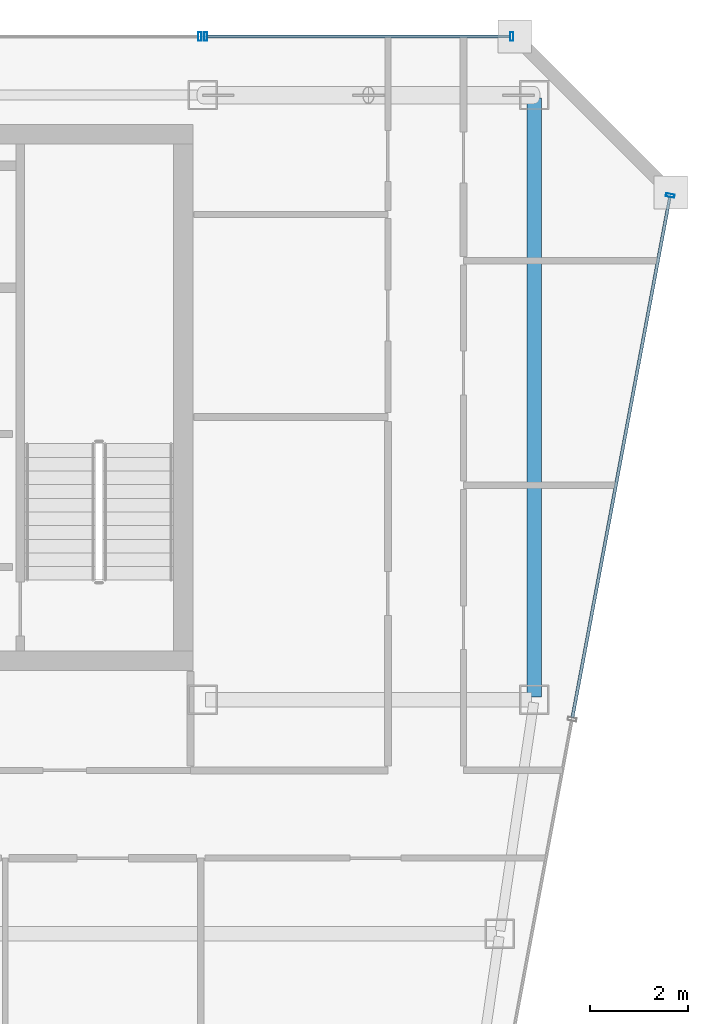
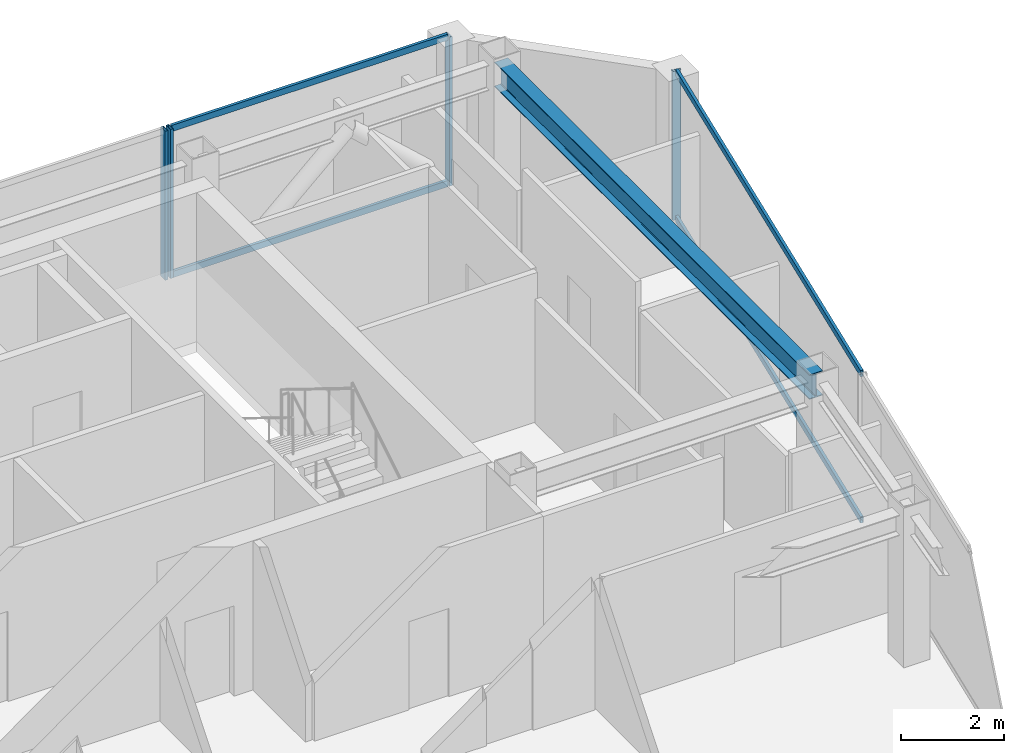
# One storey, part 16 of 23: 8 members, 1 beam, 3 elements without a shape of their own.
"""IFC4 building model written with IfcOpenShell, lengths in metres."""

import ifcopenshell
import ifcopenshell.guid

model = None  # the IFC model being written
_history = None  # IfcOwnerHistory: only IFC2X3 demands one
_inside = {}  # id of a spatial element -> (the spatial element, [elements in it])
_under = {}  # id of a project, library or spatial element -> (it, [spatial elements below it])
_declared = {}  # id of a project -> (the project, [libraries it declares])
_typed = {}  # id of a type object -> (the type object, [elements of that type])
_made_of = {}  # id of a material, layer set ... -> (it, [elements and type objects made of it])


def new_model(schema):
    """Start an empty IFC model of exactly this schema.

    Asked for "IFC4X3", IfcOpenShell would pick the latest addendum, in which some entities
    have other attributes; the version numbers below select the first issue.
    IFC2X3 requires an IfcOwnerHistory on every rooted entity: one is made here for all.
    """
    global model, _history
    if schema == "IFC4X3":
        model = ifcopenshell.file(schema_version=(4, 3, 0, 0))
    else:
        model = ifcopenshell.file(schema=schema)
    _inside.clear()
    _under.clear()
    _declared.clear()
    _typed.clear()
    _made_of.clear()
    _history = None
    if model.schema == "IFC2X3":
        org = make("IfcOrganization", Name="unknown")
        user = make(
            "IfcPersonAndOrganization",
            ThePerson=make("IfcPerson", FamilyName="unknown"),
            TheOrganization=org,
        )
        app = make(
            "IfcApplication",
            ApplicationDeveloper=org,
            Version="unknown",
            ApplicationFullName="unknown",
            ApplicationIdentifier="unknown",
        )
        _history = make(
            "IfcOwnerHistory",
            OwningUser=user,
            OwningApplication=app,
            ChangeAction="ADDED",
            CreationDate=0,
        )
    return model


def make(cls, **values):
    """One entity of the class cls with the attributes given. An attribute that is None is left unset."""
    return model.create_entity(
        cls, **{name: value for name, value in values.items() if value is not None}
    )


def rooted(cls, **values):
    """An entity with a GlobalId (a new one), such as an element, a storey or a relation."""
    return make(cls, GlobalId=ifcopenshell.guid.new(), OwnerHistory=_history, **values)


def si_unit(unit_type, name, prefix=None):
    """IfcSIUnit, for example si_unit("LENGTHUNIT", "METRE", prefix="MILLI")."""
    return make("IfcSIUnit", UnitType=unit_type, Prefix=prefix, Name=name)


def assignment(units):
    """IfcUnitAssignment: the units of a project."""
    return None if units is None else make("IfcUnitAssignment", Units=units)


def point(xyz):
    """IfcCartesianPoint."""
    return None if xyz is None else make("IfcCartesianPoint", Coordinates=xyz)


def direction(xyz):
    """IfcDirection."""
    return None if xyz is None else make("IfcDirection", DirectionRatios=xyz)


def frame(location, z_axis=None, x_axis=None):
    """IfcAxis2Placement3D, a coordinate frame: its origin and axes. An axis left out is left unset."""
    return make(
        "IfcAxis2Placement3D",
        Location=point(location),
        Axis=direction(z_axis),
        RefDirection=direction(x_axis),
    )


def frame_2d(location, x_axis=None):
    """IfcAxis2Placement2D, a coordinate frame in the plane: its origin and x axis."""
    return make(
        "IfcAxis2Placement2D", Location=point(location), RefDirection=direction(x_axis)
    )


def origin():
    """The frame at (0, 0, 0) with its axes left unset."""
    return frame((0.0, 0.0, 0.0))


def origin_2d():
    """The frame at (0, 0) in the plane with its x axis left unset."""
    return frame_2d((0.0, 0.0))


def place(relative_to, where):
    """IfcLocalPlacement: puts the frame where relative to a parent placement (None: the world)."""
    return make(
        "IfcLocalPlacement", PlacementRelTo=relative_to, RelativePlacement=where
    )


def context(
    kind, dimensions, precision=None, world=None, true_north=None, identifier=None
):
    """IfcGeometricRepresentationContext, for example the 3D "Model" context."""
    return make(
        "IfcGeometricRepresentationContext",
        ContextIdentifier=identifier,
        ContextType=kind,
        CoordinateSpaceDimension=dimensions,
        Precision=precision,
        WorldCoordinateSystem=world,
        TrueNorth=true_north,
    )


def subcontext(parent, identifier, kind, view, scale=None):
    """IfcGeometricRepresentationSubContext, for example "Body" below "Model"."""
    return make(
        "IfcGeometricRepresentationSubContext",
        ContextIdentifier=identifier,
        ContextType=kind,
        ParentContext=parent,
        TargetScale=scale,
        TargetView=view,
    )


def project(units=None, contexts=None):
    """IfcProject with its units and contexts."""
    return rooted(
        "IfcProject",
        Name="project",
        RepresentationContexts=contexts,
        UnitsInContext=assignment(units),
    )


def spatial(cls, under=None, at=None, **own):
    """A site, building, storey or space (cls), placed at a placement, below another one or the project."""
    s = rooted(cls, ObjectPlacement=at, **own)
    if under is not None:
        _under.setdefault(under.id(), (under, []))[1].append(s)
    return s


def profile(cls, at=None, kind="AREA", **sizes):
    """A parametric profile (cls). Its sizes go by their IFC names, for example OverallWidth=200.0."""
    return make(cls, ProfileType=kind, Position=at, **sizes)


def hollow_rectangle(**sizes):
    """IfcRectangleHollowProfileDef."""
    return profile("IfcRectangleHollowProfileDef", **sizes)


def i_section(**sizes):
    """IfcIShapeProfileDef."""
    return profile("IfcIShapeProfileDef", **sizes)


def extrude(swept, where, along, depth):
    """IfcExtrudedAreaSolid: the profile swept, set in the frame where, extruded along a direction by depth."""
    return make(
        "IfcExtrudedAreaSolid",
        SweptArea=swept,
        Position=where,
        ExtrudedDirection=direction(along),
        Depth=depth,
    )


def shape(context_of_items, identifier, shape_type, items):
    """IfcShapeRepresentation: the items that make up one representation, for example the "Body"."""
    return make(
        "IfcShapeRepresentation",
        ContextOfItems=context_of_items,
        RepresentationIdentifier=identifier,
        RepresentationType=shape_type,
        Items=items,
    )


def material(Name=None, Category=None):
    """IfcMaterial."""
    return make("IfcMaterial", Name=Name, Category=Category)


def material_profile(
    of_material, cross_section, Name=None, Category=None, Priority=None
):
    """IfcMaterialProfile: a cross section and its material."""
    return make(
        "IfcMaterialProfile",
        Name=Name,
        Material=of_material,
        Profile=cross_section,
        Priority=Priority,
        Category=Category,
    )


def profile_set(profiles, Name=None, composite=None):
    """IfcMaterialProfileSet."""
    return make(
        "IfcMaterialProfileSet",
        Name=Name,
        MaterialProfiles=profiles,
        CompositeProfile=composite,
    )


def made_of(thing, what):
    """Note that an element or type object is made of a material, layer set ...; save() writes the relation."""
    if what is not None:
        _made_of.setdefault(what.id(), (what, []))[1].append(thing)
    return thing


def type_object(cls, material=None, **own):
    """A type object (cls), such as IfcWallType, which elements share."""
    return made_of(rooted(cls, **own), material)


def element(
    cls,
    number,
    at=None,
    inside=None,
    cuts=None,
    type_object=None,
    material=None,
    context=None,
    identifier="Body",
    shape_type=None,
    held_by="IfcProductDefinitionShape",
    body=None,
    shapes=None,
    **own,
):
    """One element of the class cls, such as IfcWall. Its Tag is "e" and its number.

    at: its placement. inside: the storey or other place that contains it. cuts: it is an
    opening in that element (IfcRelVoidsElement). A single representation is given by context,
    identifier, shape_type and body (its items); several are given by shapes. held_by: the class
    of the entity that holds the representations. save() writes the other relations.
    """
    e = rooted(cls, Tag="e%d" % number, ObjectPlacement=at, **own)
    if body is not None:
        shapes = [shape(context, identifier, shape_type, body)]
    if shapes is not None:
        e.Representation = make(held_by, Representations=shapes)
    if inside is not None:
        _inside.setdefault(inside.id(), (inside, []))[1].append(e)
    if cuts is not None:
        rooted(
            "IfcRelVoidsElement", RelatingBuildingElement=cuts, RelatedOpeningElement=e
        )
    if type_object is not None:
        _typed.setdefault(type_object.id(), (type_object, []))[1].append(e)
    return made_of(e, material)


def aggregate(whole, parts):
    """IfcRelAggregates: a whole, such as a stair, and the parts it consists of."""
    return rooted("IfcRelAggregates", RelatingObject=whole, RelatedObjects=parts)


def save(model, path):
    """Write the relations noted so far, then the file.

    IfcRelAggregates (storeys below a building ...), IfcRelContainedInSpatialStructure (elements
    in a storey), IfcRelDefinesByType, IfcRelAssociatesMaterial and IfcRelDeclares: one each for
    every whole, place, type object, material and project.
    """
    for whole, parts in _under.values():
        aggregate(whole, parts)
    for where, things in _inside.values():
        rooted(
            "IfcRelContainedInSpatialStructure",
            RelatedElements=things,
            RelatingStructure=where,
        )
    for kind, things in _typed.values():
        rooted("IfcRelDefinesByType", RelatedObjects=things, RelatingType=kind)
    for what, things in _made_of.values():
        rooted("IfcRelAssociatesMaterial", RelatedObjects=things, RelatingMaterial=what)
    for by, libraries in _declared.values():
        rooted("IfcRelDeclares", RelatingContext=by, RelatedDefinitions=libraries)
    model.write(path)


model = new_model("IFC4")

# Units and contexts
model_context = context("Model", 3, precision=1e-05, world=origin(), true_north=direction((0.0, 1.0)))
body_context = subcontext(model_context, "Body", "Model", "MODEL_VIEW")
ifc_project = project(units=[si_unit("LENGTHUNIT", "METRE"), si_unit("AREAUNIT", "SQUARE_METRE"), si_unit("VOLUMEUNIT", "CUBIC_METRE"), si_unit("PLANEANGLEUNIT", "RADIAN"), si_unit("MASSUNIT", "GRAM", prefix="KILO")], contexts=[model_context])

# Site, building, storey
site_placement = place(None, origin())
site = spatial("IfcSite", under=ifc_project, at=site_placement, CompositionType="ELEMENT")
building_placement = place(site_placement, origin())
building = spatial("IfcBuilding", under=site, at=building_placement, Name="Saevonmaru Cultural Tower", CompositionType="ELEMENT")
storey_placement = place(building_placement, frame((0.0, 0.0, 283.800048828125)))
storey = spatial("IfcBuildingStorey", under=building, at=storey_placement, Name="L67", CompositionType="ELEMENT", Elevation=283.800048828125)

# Beam
ifc_material_1 = material(Name="Steel SM355", Category="steel")
ifc_material_profile_1 = material_profile(ifc_material_1, i_section(OverallWidth=0.300048828125, OverallDepth=0.587890625, WebThickness=0.011962890625, FlangeThickness=0.02001953125, FilletRadius=0.02392578125, at=origin_2d()), Name="H-588x300x12x20")
ifc_profile_set_1 = profile_set([ifc_material_profile_1], Name="Steel SM355")
beam_type = type_object("IfcBeamType", Name="BM-G-H588", PredefinedType="BEAM", material=ifc_profile_set_1)
beam_placement = place(storey_placement, frame((53.199951171875, 54.739990234375, 3.255859375), z_axis=(0.0, -1.0, 0.0), x_axis=(1.0, 0.0, 0.0)))
element("IfcBeam", 1, at=beam_placement, inside=storey, type_object=beam_type, Name="L67 Spine Transverse Girder E", PredefinedType="BEAM", context=body_context, shape_type="SweptSolid", body=[
    extrude(i_section(OverallWidth=0.300048828125, OverallDepth=0.587890625, WebThickness=0.011962890625, FlangeThickness=0.02001953125, FilletRadius=0.02392578125, at=origin_2d()), origin(), (0.0, 0.0, 1.0), 12.280029296875),
])

# Curtain wall, member
ifc_material_2 = material(Name="Satin Bronze Anodised Aluminium", Category="aluminium")
curtain_wall_type = type_object("IfcCurtainWallType", Name="CW-TYP-B", PredefinedType="NOTDEFINED", material=ifc_material_2)
curtain_wall_1_placement = place(storey_placement, origin())
curtain_wall_1 = element("IfcCurtainWall", 2, at=curtain_wall_1_placement, inside=storey, type_object=curtain_wall_type, Name="L67 Unitised Curtain Wall E8", PredefinedType="NOTDEFINED")
ifc_material_profile_2 = material_profile(ifc_material_2, hollow_rectangle(XDim=0.06494140625, YDim=0.179931640625, WallThickness=0.00390625, at=origin_2d()), Name="ALU-MULL-180x65x4")
ifc_profile_set_2 = profile_set([ifc_material_profile_2], Name="Satin Bronze Anodised Aluminium")
member_type_1 = type_object("IfcMemberType", Name="ML-CW-180x65", PredefinedType="MULLION", material=ifc_profile_set_2)
member_1_placement = place(storey_placement, frame((55.989013671875, 52.740966796875, 0.0), z_axis=(0.0, 0.0, 1.0), x_axis=(0.184046528232, 0.982917532373, 0.0)))
member_1 = element("IfcMember", 3, at=member_1_placement, type_object=member_type_1, Name="CW-TW-L67-E8 mullion 3", PredefinedType="MULLION", context=body_context, shape_type="SweptSolid", body=[
    extrude(hollow_rectangle(XDim=0.06494140625, YDim=0.179931640625, WallThickness=0.00390625, at=origin_2d()), origin(), (0.0, 0.0, 1.0), 3.550048828125),
])

# Curtain wall, members
curtain_wall_2_placement = place(storey_placement, origin())
curtain_wall_2 = element("IfcCurtainWall", 4, at=curtain_wall_2_placement, inside=storey, type_object=curtain_wall_type, Name="L67 East Braced Bay Spandrel Curtain Wall E10A", PredefinedType="NOTDEFINED")
member_2_placement = place(storey_placement, frame((52.739990234375, 56.0, 0.0), z_axis=(0.0, 0.0, 1.0), x_axis=(-1.0, 0.0, 0.0)))
member_2 = element("IfcMember", 5, at=member_2_placement, type_object=member_type_1, Name="CW-TW-L67-E10A mullion 1", PredefinedType="MULLION", context=body_context, shape_type="SweptSolid", body=[
    extrude(hollow_rectangle(XDim=0.06494140625, YDim=0.179931640625, WallThickness=0.00390625, at=origin_2d()), origin(), (0.0, 0.0, 1.0), 3.550048828125),
])
member_3_placement = place(storey_placement, frame((46.4599609375, 56.0, 0.0), z_axis=(0.0, 0.0, 1.0), x_axis=(-1.0, 0.0, 0.0)))
member_3 = element("IfcMember", 6, at=member_3_placement, type_object=member_type_1, Name="CW-TW-L67-E10A mullion 2", PredefinedType="MULLION", context=body_context, shape_type="SweptSolid", body=[
    extrude(hollow_rectangle(XDim=0.06494140625, YDim=0.179931640625, WallThickness=0.00390625, at=origin_2d()), origin(), (0.0, 0.0, 1.0), 3.550048828125),
])

# Curtain wall, member
curtain_wall_3_placement = place(storey_placement, origin())
curtain_wall_3 = element("IfcCurtainWall", 7, at=curtain_wall_3_placement, inside=storey, type_object=curtain_wall_type, Name="L67 North Spine Unitised Curtain Wall E10B", PredefinedType="NOTDEFINED")
member_4_placement = place(storey_placement, frame((46.340087890625, 56.0, 0.0), z_axis=(0.0, 0.0, 1.0), x_axis=(-1.0, 0.0, 0.0)))
member_4 = element("IfcMember", 8, at=member_4_placement, type_object=member_type_1, Name="CW-TW-L67-E10B mullion 1", PredefinedType="MULLION", context=body_context, shape_type="SweptSolid", body=[
    extrude(hollow_rectangle(XDim=0.06494140625, YDim=0.179931640625, WallThickness=0.00390625, at=origin_2d()), origin(), (0.0, 0.0, 1.0), 3.550048828125),
])
aggregate(curtain_wall_3, [member_4])

# Member
ifc_material_profile_3 = material_profile(ifc_material_2, hollow_rectangle(XDim=0.06494140625, YDim=0.14990234375, WallThickness=0.00390625, at=origin_2d()), Name="ALU-TRAN-150x65x4")
ifc_profile_set_3 = profile_set([ifc_material_profile_3], Name="Satin Bronze Anodised Aluminium")
member_type_2 = type_object("IfcMemberType", Name="TR-CW-150x65", PredefinedType="USERDEFINED", material=ifc_profile_set_3)
member_5_placement = place(storey_placement, frame((53.98388671875, 42.031982421875, 0.032470703125), z_axis=(0.184029339557, 0.982920750713, 0.0), x_axis=(-0.982920750713, 0.184029339557, 0.0)))
member_5 = element("IfcMember", 9, at=member_5_placement, type_object=member_type_2, Name="CW-TW-L67-E8 transom 2.1", ObjectType="TRANSOM", PredefinedType="USERDEFINED", context=body_context, shape_type="SweptSolid", body=[
    extrude(hollow_rectangle(XDim=0.06494140625, YDim=0.14990234375, WallThickness=0.00390625, at=origin_2d()), origin(), (0.0, 0.0, 1.0), 10.862548828125),
])

member_6_placement = place(storey_placement, frame((53.98388671875, 42.031982421875, 3.517333984375), z_axis=(0.184029339557, 0.982920750713, 0.0), x_axis=(-0.982920750713, 0.184029339557, 0.0)))
member_6 = element("IfcMember", 10, at=member_6_placement, type_object=member_type_2, Name="CW-TW-L67-E8 transom 2.2", ObjectType="TRANSOM", PredefinedType="USERDEFINED", context=body_context, shape_type="SweptSolid", body=[
    extrude(hollow_rectangle(XDim=0.06494140625, YDim=0.14990234375, WallThickness=0.00390625, at=origin_2d()), origin(), (0.0, 0.0, 1.0), 10.862548828125),
])

aggregate(curtain_wall_1, [member_1, member_5, member_6])

member_7_placement = place(storey_placement, frame((52.70751953125, 56.0, 0.032470703125), z_axis=(-1.0, 0.0, 0.0), x_axis=(0.0, -1.0, 0.0)))
member_7 = element("IfcMember", 11, at=member_7_placement, type_object=member_type_2, Name="CW-TW-L67-E10A transom 1.1", ObjectType="TRANSOM", PredefinedType="USERDEFINED", context=body_context, shape_type="SweptSolid", body=[
    extrude(hollow_rectangle(XDim=0.06494140625, YDim=0.14990234375, WallThickness=0.00390625, at=origin_2d()), origin(), (0.0, 0.0, 1.0), 6.215087890625),
])

member_8_placement = place(storey_placement, frame((52.70751953125, 56.0, 3.517333984375), z_axis=(-1.0, 0.0, 0.0), x_axis=(0.0, -1.0, 0.0)))
member_8 = element("IfcMember", 12, at=member_8_placement, type_object=member_type_2, Name="CW-TW-L67-E10A transom 1.2", ObjectType="TRANSOM", PredefinedType="USERDEFINED", context=body_context, shape_type="SweptSolid", body=[
    extrude(hollow_rectangle(XDim=0.06494140625, YDim=0.14990234375, WallThickness=0.00390625, at=origin_2d()), origin(), (0.0, 0.0, 1.0), 6.215087890625),
])

aggregate(curtain_wall_2, [member_2, member_3, member_7, member_8])

save(model, "model.ifc")
